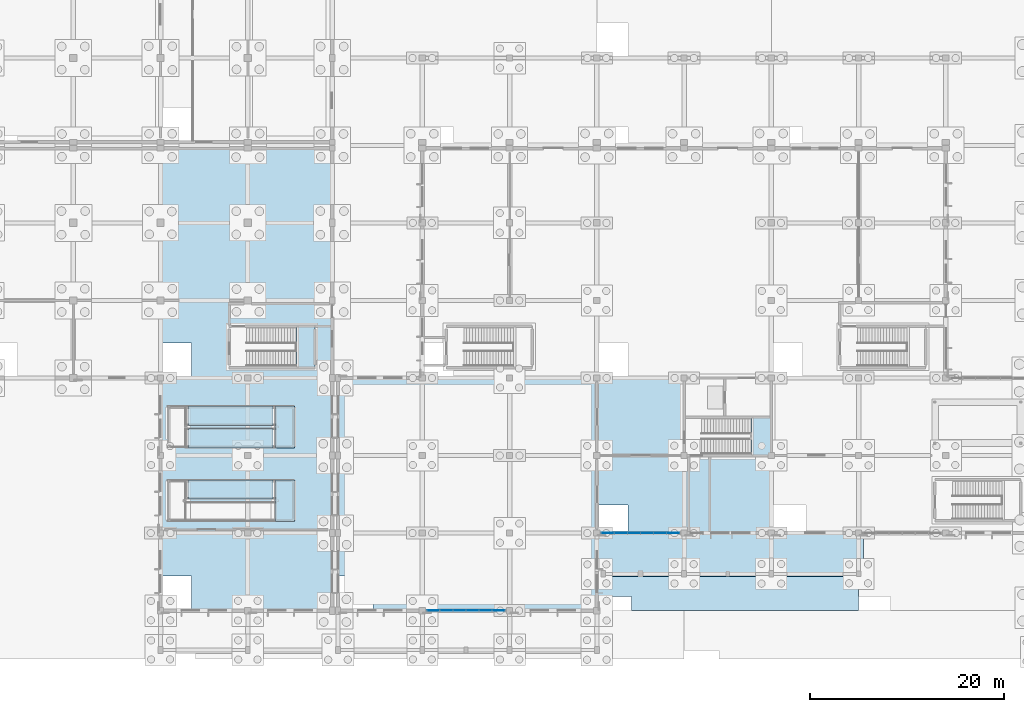
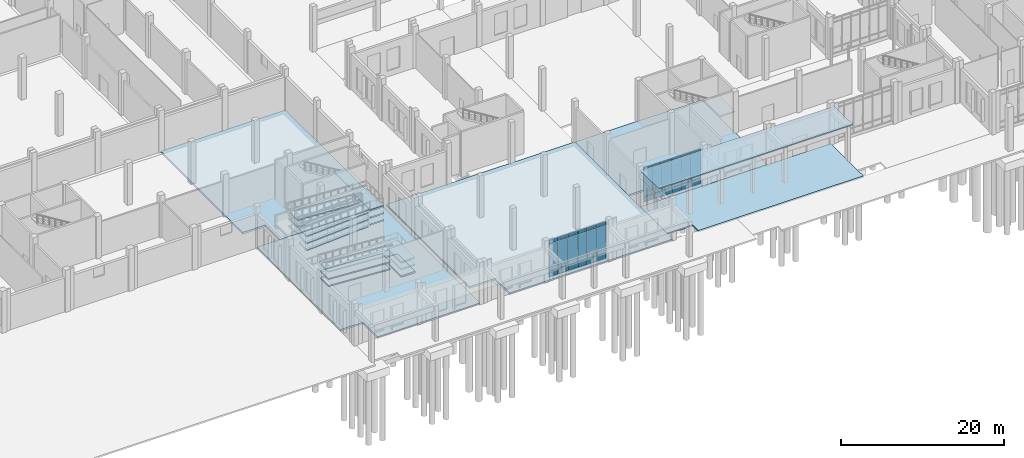
# One storey, part 47 of 99: 36 plates, 23 slabs, 6 elements without a shape of their own.
"""IFC4 building model written with IfcOpenShell, lengths in metres."""

from ifc_helpers import new_model, si_unit, direction, frame, origin, origin_2d, place, context, subcontext, project, spatial, polyline, rectangle, outline, extrude, material, layer, layer_set, type_object, element, aggregate, save


model = new_model("IFC4")

# Units and contexts
model_context = context("Model", 3, precision=1e-05, world=origin(), true_north=direction((0.0, 1.0)))
body_context = subcontext(model_context, "Body", "Model", "MODEL_VIEW")
ifc_project = project(units=[si_unit("LENGTHUNIT", "METRE"), si_unit("AREAUNIT", "SQUARE_METRE"), si_unit("VOLUMEUNIT", "CUBIC_METRE"), si_unit("PLANEANGLEUNIT", "RADIAN"), si_unit("MASSUNIT", "GRAM", prefix="KILO")], contexts=[model_context])

# Site, building, storey
site_placement = place(None, origin())
site = spatial("IfcSite", under=ifc_project, at=site_placement, CompositionType="ELEMENT")
building_placement = place(site_placement, origin())
building = spatial("IfcBuilding", under=site, at=building_placement, Name="Zacnel Wholesale Market", CompositionType="ELEMENT")
storey_placement = place(building_placement, origin())
storey = spatial("IfcBuildingStorey", under=building, at=storey_placement, Name="L01", CompositionType="ELEMENT", Elevation=0.0)

# Curtain wall, plates
ifc_material_1 = material(Name="Anodised aluminium", Category="aluminium")
ifc_layer_1 = layer(ifc_material_1, 0.159912109375)
ifc_layer_set_1 = layer_set([ifc_layer_1], Name="Anodised aluminium")
curtain_wall_type = type_object("IfcCurtainWallType", Name="CW-TERR-3900", PredefinedType="NOTDEFINED", material=ifc_layer_set_1)
curtain_wall_1_placement = place(storey_placement, origin())
curtain_wall_1 = element("IfcCurtainWall", 1, at=curtain_wall_1_placement, inside=storey, type_object=curtain_wall_type, Name="Curtain wall ENV-R2-CW-L01-001", PredefinedType="NOTDEFINED")
ifc_material_2 = material(Name="Laminated hurricane-impact low-E insulated glass", Category="glass")
ifc_layer_2 = layer(ifc_material_2, 0.02392578125)
ifc_layer_set_2 = layer_set([ifc_layer_2], Name="Laminated hurricane-impact low-E insulated glass")
plate_type_1 = type_object("IfcPlateType", Name="CWP-PNL-03", PredefinedType="CURTAIN_PANEL", material=ifc_layer_set_2)
plate_1_placement = place(storey_placement, frame((82.125, 0.0, 1.330078125), z_axis=(0.0, 0.0, 1.0), x_axis=(1.0, 0.0, 0.0)))
plate_1 = element("IfcPlate", 2, at=plate_1_placement, type_object=plate_type_1, Name="ENV-R2-CW-L01-001 panel 1-2", PredefinedType="CURTAIN_PANEL", context=body_context, shape_type="SweptSolid", body=[
    extrude(rectangle(XDim=1.280029296875, YDim=0.02392578125, at=origin_2d()), origin(), (0.0, 0.0, 1.0), 4.0400390625),
])
plate_2_placement = place(storey_placement, frame((83.47509765625, 0.0, 1.330078125), z_axis=(0.0, 0.0, 1.0), x_axis=(1.0, 0.0, 0.0)))
plate_2 = element("IfcPlate", 3, at=plate_2_placement, type_object=plate_type_1, Name="ENV-R2-CW-L01-001 panel 2-2", PredefinedType="CURTAIN_PANEL", context=body_context, shape_type="SweptSolid", body=[
    extrude(rectangle(XDim=1.280029296875, YDim=0.02392578125, at=origin_2d()), origin(), (0.0, 0.0, 1.0), 4.0400390625),
])
plate_3_placement = place(storey_placement, frame((84.824951171875, 0.0, 1.330078125), z_axis=(0.0, 0.0, 1.0), x_axis=(1.0, 0.0, 0.0)))
plate_3 = element("IfcPlate", 4, at=plate_3_placement, type_object=plate_type_1, Name="ENV-R2-CW-L01-001 panel 3-2", PredefinedType="CURTAIN_PANEL", context=body_context, shape_type="SweptSolid", body=[
    extrude(rectangle(XDim=1.280029296875, YDim=0.02392578125, at=origin_2d()), origin(), (0.0, 0.0, 1.0), 4.0400390625),
])
plate_4_placement = place(storey_placement, frame((86.175048828125, 0.0, 1.330078125), z_axis=(0.0, 0.0, 1.0), x_axis=(1.0, 0.0, 0.0)))
plate_4 = element("IfcPlate", 5, at=plate_4_placement, type_object=plate_type_1, Name="ENV-R2-CW-L01-001 panel 4-2", PredefinedType="CURTAIN_PANEL", context=body_context, shape_type="SweptSolid", body=[
    extrude(rectangle(XDim=1.280029296875, YDim=0.02392578125, at=origin_2d()), origin(), (0.0, 0.0, 1.0), 4.0400390625),
])
plate_5_placement = place(storey_placement, frame((87.52490234375, 0.0, 1.330078125), z_axis=(0.0, 0.0, 1.0), x_axis=(1.0, 0.0, 0.0)))
plate_5 = element("IfcPlate", 6, at=plate_5_placement, type_object=plate_type_1, Name="ENV-R2-CW-L01-001 panel 5-2", PredefinedType="CURTAIN_PANEL", context=body_context, shape_type="SweptSolid", body=[
    extrude(rectangle(XDim=1.280029296875, YDim=0.02392578125, at=origin_2d()), origin(), (0.0, 0.0, 1.0), 4.0400390625),
])
plate_6_placement = place(storey_placement, frame((88.875, 0.0, 1.330078125), z_axis=(0.0, 0.0, 1.0), x_axis=(1.0, 0.0, 0.0)))
plate_6 = element("IfcPlate", 7, at=plate_6_placement, type_object=plate_type_1, Name="ENV-R2-CW-L01-001 panel 6-2", PredefinedType="CURTAIN_PANEL", context=body_context, shape_type="SweptSolid", body=[
    extrude(rectangle(XDim=1.280029296875, YDim=0.02392578125, at=origin_2d()), origin(), (0.0, 0.0, 1.0), 4.0400390625),
])

curtain_wall_2_placement = place(storey_placement, origin())
curtain_wall_2 = element("IfcCurtainWall", 8, at=curtain_wall_2_placement, inside=storey, type_object=curtain_wall_type, Name="Curtain wall ENV-R2-CW-L01-002", PredefinedType="NOTDEFINED")
plate_7_placement = place(storey_placement, frame((100.125, 8.0, 1.330078125), z_axis=(0.0, 0.0, 1.0), x_axis=(1.0, 0.0, 0.0)))
plate_7 = element("IfcPlate", 9, at=plate_7_placement, type_object=plate_type_1, Name="ENV-R2-CW-L01-002 panel 1-2", PredefinedType="CURTAIN_PANEL", context=body_context, shape_type="SweptSolid", body=[
    extrude(rectangle(XDim=1.280029296875, YDim=0.02392578125, at=origin_2d()), origin(), (0.0, 0.0, 1.0), 3.760009765625),
])
plate_8_placement = place(storey_placement, frame((101.47509765625, 8.0, 1.330078125), z_axis=(0.0, 0.0, 1.0), x_axis=(1.0, 0.0, 0.0)))
plate_8 = element("IfcPlate", 10, at=plate_8_placement, type_object=plate_type_1, Name="ENV-R2-CW-L01-002 panel 2-2", PredefinedType="CURTAIN_PANEL", context=body_context, shape_type="SweptSolid", body=[
    extrude(rectangle(XDim=1.280029296875, YDim=0.02392578125, at=origin_2d()), origin(), (0.0, 0.0, 1.0), 3.760009765625),
])
plate_9_placement = place(storey_placement, frame((102.824951171875, 8.0, 1.330078125), z_axis=(0.0, 0.0, 1.0), x_axis=(1.0, 0.0, 0.0)))
plate_9 = element("IfcPlate", 11, at=plate_9_placement, type_object=plate_type_1, Name="ENV-R2-CW-L01-002 panel 3-2", PredefinedType="CURTAIN_PANEL", context=body_context, shape_type="SweptSolid", body=[
    extrude(rectangle(XDim=1.280029296875, YDim=0.02392578125, at=origin_2d()), origin(), (0.0, 0.0, 1.0), 3.760009765625),
])
plate_10_placement = place(storey_placement, frame((104.175048828125, 8.0, 1.330078125), z_axis=(0.0, 0.0, 1.0), x_axis=(1.0, 0.0, 0.0)))
plate_10 = element("IfcPlate", 12, at=plate_10_placement, type_object=plate_type_1, Name="ENV-R2-CW-L01-002 panel 4-2", PredefinedType="CURTAIN_PANEL", context=body_context, shape_type="SweptSolid", body=[
    extrude(rectangle(XDim=1.280029296875, YDim=0.02392578125, at=origin_2d()), origin(), (0.0, 0.0, 1.0), 3.760009765625),
])
plate_11_placement = place(storey_placement, frame((105.52490234375, 8.0, 1.330078125), z_axis=(0.0, 0.0, 1.0), x_axis=(1.0, 0.0, 0.0)))
plate_11 = element("IfcPlate", 13, at=plate_11_placement, type_object=plate_type_1, Name="ENV-R2-CW-L01-002 panel 5-2", PredefinedType="CURTAIN_PANEL", context=body_context, shape_type="SweptSolid", body=[
    extrude(rectangle(XDim=1.280029296875, YDim=0.02392578125, at=origin_2d()), origin(), (0.0, 0.0, 1.0), 3.760009765625),
])
plate_12_placement = place(storey_placement, frame((106.875, 8.0, 1.330078125), z_axis=(0.0, 0.0, 1.0), x_axis=(1.0, 0.0, 0.0)))
plate_12 = element("IfcPlate", 14, at=plate_12_placement, type_object=plate_type_1, Name="ENV-R2-CW-L01-002 panel 6-2", PredefinedType="CURTAIN_PANEL", context=body_context, shape_type="SweptSolid", body=[
    extrude(rectangle(XDim=1.280029296875, YDim=0.02392578125, at=origin_2d()), origin(), (0.0, 0.0, 1.0), 3.760009765625),
])

# Plate
ifc_material_3 = material(Name="Anodised aluminium", Category="aluminium")
ifc_layer_3 = layer(ifc_material_3, 0.0400390625)
ifc_layer_set_3 = layer_set([ifc_layer_3], Name="Anodised aluminium")
plate_type_2 = type_object("IfcPlateType", Name="CWP-PNL-05", PredefinedType="CURTAIN_PANEL", material=ifc_layer_set_3)
plate_13_placement = place(storey_placement, frame((82.125, 0.0, 0.47998046875), z_axis=(0.0, 0.0, 1.0), x_axis=(1.0, 0.0, 0.0)))
plate_13 = element("IfcPlate", 15, at=plate_13_placement, type_object=plate_type_2, Name="ENV-R2-CW-L01-001 panel 1-1", PredefinedType="CURTAIN_PANEL", context=body_context, shape_type="SweptSolid", body=[
    extrude(rectangle(XDim=1.280029296875, YDim=0.0400390625, at=origin_2d()), origin(), (0.0, 0.0, 1.0), 0.7900390625),
])

plate_14_placement = place(storey_placement, frame((82.125, 0.0, 5.43017578125), z_axis=(0.0, 0.0, 1.0), x_axis=(1.0, 0.0, 0.0)))
plate_14 = element("IfcPlate", 16, at=plate_14_placement, type_object=plate_type_2, Name="ENV-R2-CW-L01-001 panel 1-3", PredefinedType="CURTAIN_PANEL", context=body_context, shape_type="SweptSolid", body=[
    extrude(rectangle(XDim=1.280029296875, YDim=0.0400390625, at=origin_2d()), origin(), (0.0, 0.0, 1.0), 0.489990234375),
])

plate_15_placement = place(storey_placement, frame((84.824951171875, 0.0, 0.47998046875), z_axis=(0.0, 0.0, 1.0), x_axis=(1.0, 0.0, 0.0)))
plate_15 = element("IfcPlate", 17, at=plate_15_placement, type_object=plate_type_2, Name="ENV-R2-CW-L01-001 panel 3-1", PredefinedType="CURTAIN_PANEL", context=body_context, shape_type="SweptSolid", body=[
    extrude(rectangle(XDim=1.280029296875, YDim=0.0400390625, at=origin_2d()), origin(), (0.0, 0.0, 1.0), 0.7900390625),
])

plate_16_placement = place(storey_placement, frame((84.824951171875, 0.0, 5.43017578125), z_axis=(0.0, 0.0, 1.0), x_axis=(1.0, 0.0, 0.0)))
plate_16 = element("IfcPlate", 18, at=plate_16_placement, type_object=plate_type_2, Name="ENV-R2-CW-L01-001 panel 3-3", PredefinedType="CURTAIN_PANEL", context=body_context, shape_type="SweptSolid", body=[
    extrude(rectangle(XDim=1.280029296875, YDim=0.0400390625, at=origin_2d()), origin(), (0.0, 0.0, 1.0), 0.489990234375),
])

plate_17_placement = place(storey_placement, frame((87.52490234375, 0.0, 0.47998046875), z_axis=(0.0, 0.0, 1.0), x_axis=(1.0, 0.0, 0.0)))
plate_17 = element("IfcPlate", 19, at=plate_17_placement, type_object=plate_type_2, Name="ENV-R2-CW-L01-001 panel 5-1", PredefinedType="CURTAIN_PANEL", context=body_context, shape_type="SweptSolid", body=[
    extrude(rectangle(XDim=1.280029296875, YDim=0.0400390625, at=origin_2d()), origin(), (0.0, 0.0, 1.0), 0.7900390625),
])

plate_18_placement = place(storey_placement, frame((87.52490234375, 0.0, 5.43017578125), z_axis=(0.0, 0.0, 1.0), x_axis=(1.0, 0.0, 0.0)))
plate_18 = element("IfcPlate", 20, at=plate_18_placement, type_object=plate_type_2, Name="ENV-R2-CW-L01-001 panel 5-3", PredefinedType="CURTAIN_PANEL", context=body_context, shape_type="SweptSolid", body=[
    extrude(rectangle(XDim=1.280029296875, YDim=0.0400390625, at=origin_2d()), origin(), (0.0, 0.0, 1.0), 0.489990234375),
])

plate_19_placement = place(storey_placement, frame((100.125, 8.0, 0.47998046875), z_axis=(0.0, 0.0, 1.0), x_axis=(1.0, 0.0, 0.0)))
plate_19 = element("IfcPlate", 21, at=plate_19_placement, type_object=plate_type_2, Name="ENV-R2-CW-L01-002 panel 1-1", PredefinedType="CURTAIN_PANEL", context=body_context, shape_type="SweptSolid", body=[
    extrude(rectangle(XDim=1.280029296875, YDim=0.0400390625, at=origin_2d()), origin(), (0.0, 0.0, 1.0), 0.7900390625),
])

plate_20_placement = place(storey_placement, frame((100.125, 8.0, 5.14990234375), z_axis=(0.0, 0.0, 1.0), x_axis=(1.0, 0.0, 0.0)))
plate_20 = element("IfcPlate", 22, at=plate_20_placement, type_object=plate_type_2, Name="ENV-R2-CW-L01-002 panel 1-3", PredefinedType="CURTAIN_PANEL", context=body_context, shape_type="SweptSolid", body=[
    extrude(rectangle(XDim=1.280029296875, YDim=0.0400390625, at=origin_2d()), origin(), (0.0, 0.0, 1.0), 0.489990234375),
])

plate_21_placement = place(storey_placement, frame((102.824951171875, 8.0, 0.47998046875), z_axis=(0.0, 0.0, 1.0), x_axis=(1.0, 0.0, 0.0)))
plate_21 = element("IfcPlate", 23, at=plate_21_placement, type_object=plate_type_2, Name="ENV-R2-CW-L01-002 panel 3-1", PredefinedType="CURTAIN_PANEL", context=body_context, shape_type="SweptSolid", body=[
    extrude(rectangle(XDim=1.280029296875, YDim=0.0400390625, at=origin_2d()), origin(), (0.0, 0.0, 1.0), 0.7900390625),
])

plate_22_placement = place(storey_placement, frame((102.824951171875, 8.0, 5.14990234375), z_axis=(0.0, 0.0, 1.0), x_axis=(1.0, 0.0, 0.0)))
plate_22 = element("IfcPlate", 24, at=plate_22_placement, type_object=plate_type_2, Name="ENV-R2-CW-L01-002 panel 3-3", PredefinedType="CURTAIN_PANEL", context=body_context, shape_type="SweptSolid", body=[
    extrude(rectangle(XDim=1.280029296875, YDim=0.0400390625, at=origin_2d()), origin(), (0.0, 0.0, 1.0), 0.489990234375),
])

plate_23_placement = place(storey_placement, frame((105.52490234375, 8.0, 0.47998046875), z_axis=(0.0, 0.0, 1.0), x_axis=(1.0, 0.0, 0.0)))
plate_23 = element("IfcPlate", 25, at=plate_23_placement, type_object=plate_type_2, Name="ENV-R2-CW-L01-002 panel 5-1", PredefinedType="CURTAIN_PANEL", context=body_context, shape_type="SweptSolid", body=[
    extrude(rectangle(XDim=1.280029296875, YDim=0.0400390625, at=origin_2d()), origin(), (0.0, 0.0, 1.0), 0.7900390625),
])

plate_24_placement = place(storey_placement, frame((105.52490234375, 8.0, 5.14990234375), z_axis=(0.0, 0.0, 1.0), x_axis=(1.0, 0.0, 0.0)))
plate_24 = element("IfcPlate", 26, at=plate_24_placement, type_object=plate_type_2, Name="ENV-R2-CW-L01-002 panel 5-3", PredefinedType="CURTAIN_PANEL", context=body_context, shape_type="SweptSolid", body=[
    extrude(rectangle(XDim=1.280029296875, YDim=0.0400390625, at=origin_2d()), origin(), (0.0, 0.0, 1.0), 0.489990234375),
])

ifc_material_4 = material(Name="Honed Yucatan Maya cream limestone", Category="masonry")
ifc_layer_4 = layer(ifc_material_4, 0.044921875)
ifc_layer_set_4 = layer_set([ifc_layer_4], Name="Honed Yucatan Maya cream limestone")
plate_type_3 = type_object("IfcPlateType", Name="CWP-PNL-06", PredefinedType="CURTAIN_PANEL", material=ifc_layer_set_4)
plate_25_placement = place(storey_placement, frame((83.47509765625, 0.0, 0.47998046875), z_axis=(0.0, 0.0, 1.0), x_axis=(1.0, 0.0, 0.0)))
plate_25 = element("IfcPlate", 27, at=plate_25_placement, type_object=plate_type_3, Name="ENV-R2-CW-L01-001 panel 2-1", PredefinedType="CURTAIN_PANEL", context=body_context, shape_type="SweptSolid", body=[
    extrude(rectangle(XDim=1.280029296875, YDim=0.044921875, at=origin_2d()), origin(), (0.0, 0.0, 1.0), 0.7900390625),
])

plate_26_placement = place(storey_placement, frame((83.47509765625, 0.0, 5.43017578125), z_axis=(0.0, 0.0, 1.0), x_axis=(1.0, 0.0, 0.0)))
plate_26 = element("IfcPlate", 28, at=plate_26_placement, type_object=plate_type_3, Name="ENV-R2-CW-L01-001 panel 2-3", PredefinedType="CURTAIN_PANEL", context=body_context, shape_type="SweptSolid", body=[
    extrude(rectangle(XDim=1.280029296875, YDim=0.044921875, at=origin_2d()), origin(), (0.0, 0.0, 1.0), 0.489990234375),
])

plate_27_placement = place(storey_placement, frame((86.175048828125, 0.0, 0.47998046875), z_axis=(0.0, 0.0, 1.0), x_axis=(1.0, 0.0, 0.0)))
plate_27 = element("IfcPlate", 29, at=plate_27_placement, type_object=plate_type_3, Name="ENV-R2-CW-L01-001 panel 4-1", PredefinedType="CURTAIN_PANEL", context=body_context, shape_type="SweptSolid", body=[
    extrude(rectangle(XDim=1.280029296875, YDim=0.044921875, at=origin_2d()), origin(), (0.0, 0.0, 1.0), 0.7900390625),
])

plate_28_placement = place(storey_placement, frame((86.175048828125, 0.0, 5.43017578125), z_axis=(0.0, 0.0, 1.0), x_axis=(1.0, 0.0, 0.0)))
plate_28 = element("IfcPlate", 30, at=plate_28_placement, type_object=plate_type_3, Name="ENV-R2-CW-L01-001 panel 4-3", PredefinedType="CURTAIN_PANEL", context=body_context, shape_type="SweptSolid", body=[
    extrude(rectangle(XDim=1.280029296875, YDim=0.044921875, at=origin_2d()), origin(), (0.0, 0.0, 1.0), 0.489990234375),
])

plate_29_placement = place(storey_placement, frame((88.875, 0.0, 0.47998046875), z_axis=(0.0, 0.0, 1.0), x_axis=(1.0, 0.0, 0.0)))
plate_29 = element("IfcPlate", 31, at=plate_29_placement, type_object=plate_type_3, Name="ENV-R2-CW-L01-001 panel 6-1", PredefinedType="CURTAIN_PANEL", context=body_context, shape_type="SweptSolid", body=[
    extrude(rectangle(XDim=1.280029296875, YDim=0.044921875, at=origin_2d()), origin(), (0.0, 0.0, 1.0), 0.7900390625),
])

plate_30_placement = place(storey_placement, frame((88.875, 0.0, 5.43017578125), z_axis=(0.0, 0.0, 1.0), x_axis=(1.0, 0.0, 0.0)))
plate_30 = element("IfcPlate", 32, at=plate_30_placement, type_object=plate_type_3, Name="ENV-R2-CW-L01-001 panel 6-3", PredefinedType="CURTAIN_PANEL", context=body_context, shape_type="SweptSolid", body=[
    extrude(rectangle(XDim=1.280029296875, YDim=0.044921875, at=origin_2d()), origin(), (0.0, 0.0, 1.0), 0.489990234375),
])

aggregate(curtain_wall_1, [plate_13, plate_1, plate_14, plate_25, plate_2, plate_26, plate_15, plate_3, plate_16, plate_27, plate_4, plate_28, plate_17, plate_5, plate_18, plate_29, plate_6, plate_30])

plate_31_placement = place(storey_placement, frame((101.47509765625, 8.0, 0.47998046875), z_axis=(0.0, 0.0, 1.0), x_axis=(1.0, 0.0, 0.0)))
plate_31 = element("IfcPlate", 33, at=plate_31_placement, type_object=plate_type_3, Name="ENV-R2-CW-L01-002 panel 2-1", PredefinedType="CURTAIN_PANEL", context=body_context, shape_type="SweptSolid", body=[
    extrude(rectangle(XDim=1.280029296875, YDim=0.044921875, at=origin_2d()), origin(), (0.0, 0.0, 1.0), 0.7900390625),
])

plate_32_placement = place(storey_placement, frame((101.47509765625, 8.0, 5.14990234375), z_axis=(0.0, 0.0, 1.0), x_axis=(1.0, 0.0, 0.0)))
plate_32 = element("IfcPlate", 34, at=plate_32_placement, type_object=plate_type_3, Name="ENV-R2-CW-L01-002 panel 2-3", PredefinedType="CURTAIN_PANEL", context=body_context, shape_type="SweptSolid", body=[
    extrude(rectangle(XDim=1.280029296875, YDim=0.044921875, at=origin_2d()), origin(), (0.0, 0.0, 1.0), 0.489990234375),
])

plate_33_placement = place(storey_placement, frame((104.175048828125, 8.0, 0.47998046875), z_axis=(0.0, 0.0, 1.0), x_axis=(1.0, 0.0, 0.0)))
plate_33 = element("IfcPlate", 35, at=plate_33_placement, type_object=plate_type_3, Name="ENV-R2-CW-L01-002 panel 4-1", PredefinedType="CURTAIN_PANEL", context=body_context, shape_type="SweptSolid", body=[
    extrude(rectangle(XDim=1.280029296875, YDim=0.044921875, at=origin_2d()), origin(), (0.0, 0.0, 1.0), 0.7900390625),
])

plate_34_placement = place(storey_placement, frame((104.175048828125, 8.0, 5.14990234375), z_axis=(0.0, 0.0, 1.0), x_axis=(1.0, 0.0, 0.0)))
plate_34 = element("IfcPlate", 36, at=plate_34_placement, type_object=plate_type_3, Name="ENV-R2-CW-L01-002 panel 4-3", PredefinedType="CURTAIN_PANEL", context=body_context, shape_type="SweptSolid", body=[
    extrude(rectangle(XDim=1.280029296875, YDim=0.044921875, at=origin_2d()), origin(), (0.0, 0.0, 1.0), 0.489990234375),
])

plate_35_placement = place(storey_placement, frame((106.875, 8.0, 0.47998046875), z_axis=(0.0, 0.0, 1.0), x_axis=(1.0, 0.0, 0.0)))
plate_35 = element("IfcPlate", 37, at=plate_35_placement, type_object=plate_type_3, Name="ENV-R2-CW-L01-002 panel 6-1", PredefinedType="CURTAIN_PANEL", context=body_context, shape_type="SweptSolid", body=[
    extrude(rectangle(XDim=1.280029296875, YDim=0.044921875, at=origin_2d()), origin(), (0.0, 0.0, 1.0), 0.7900390625),
])

plate_36_placement = place(storey_placement, frame((106.875, 8.0, 5.14990234375), z_axis=(0.0, 0.0, 1.0), x_axis=(1.0, 0.0, 0.0)))
plate_36 = element("IfcPlate", 38, at=plate_36_placement, type_object=plate_type_3, Name="ENV-R2-CW-L01-002 panel 6-3", PredefinedType="CURTAIN_PANEL", context=body_context, shape_type="SweptSolid", body=[
    extrude(rectangle(XDim=1.280029296875, YDim=0.044921875, at=origin_2d()), origin(), (0.0, 0.0, 1.0), 0.489990234375),
])

aggregate(curtain_wall_2, [plate_19, plate_7, plate_20, plate_31, plate_8, plate_32, plate_21, plate_9, plate_22, plate_33, plate_10, plate_34, plate_23, plate_11, plate_24, plate_35, plate_12, plate_36])

# Slabs
ifc_material_5 = material(Name="Concrete C35/45", Category="concrete")
ifc_layer_5 = layer(ifc_material_5, 0.219970703125)
ifc_layer_set_5 = layer_set([ifc_layer_5], Name="Concrete C35/45")
slab_type_1 = type_object("IfcSlabType", Name="SLB-BASE-220", PredefinedType="BASESLAB", material=ifc_layer_set_5)
slab_1_placement = place(storey_placement, frame((0.0, 0.0, -0.219970703125)))
element("IfcSlab", 39, at=slab_1_placement, inside=storey, type_object=slab_type_1, Name="Structural slab SLB-L01-FORECOURT-N-P1", PredefinedType="BASESLAB", context=body_context, shape_type="SweptSolid", body=[
    extrude(outline(polyline([(102.60009765625, 0.0), (126.0, 0.0), (126.0, 8.0), (99.0, 8.0), (99.0, 1.43994140625), (102.60009765625, 1.43994140625), (102.60009765625, 0.0)])), origin(), (0.0, 0.0, 1.0), 0.219970703125),
])
ifc_material_6 = material(Name="Concrete C35/45", Category="concrete")
ifc_layer_6 = layer(ifc_material_6, 0.260009765625)
ifc_layer_set_6 = layer_set([ifc_layer_6], Name="Concrete C35/45")
slab_type_2 = type_object("IfcSlabType", Name="SLB-BASE-260", PredefinedType="BASESLAB", material=ifc_layer_set_6)
slab_2_placement = place(storey_placement, frame((0.0, 0.0, -0.260009765625)))
element("IfcSlab", 40, at=slab_2_placement, inside=storey, type_object=slab_type_2, Name="Structural slab SLB-L01-V4-WEST", PredefinedType="BASESLAB", context=body_context, shape_type="SweptSolid", body=[
    extrude(outline(polyline([(57.18994140625, 0.0), (71.699951171875, 0.0), (71.699951171875, 24.0), (54.0, 24.0), (54.0, 3.60009765625), (57.18994140625, 3.60009765625), (57.18994140625, 0.0)])), origin(), (0.0, 0.0, 1.0), 0.260009765625),
])
slab_3_placement = place(storey_placement, frame((0.0, 0.0, -0.260009765625)))
element("IfcSlab", 41, at=slab_3_placement, inside=storey, type_object=slab_type_2, Name="Structural slab SLB-L01-V4-SEA", PredefinedType="BASESLAB", context=body_context, shape_type="SweptSolid", body=[
    extrude(outline(polyline([(75.89990234375, 0.0), (99.0, 0.0), (99.0, 24.0), (72.300048828125, 24.0), (72.300048828125, 3.60009765625), (75.89990234375, 3.60009765625), (75.89990234375, 0.0)])), origin(), (0.0, 0.0, 1.0), 0.260009765625),
])
slab_4_placement = place(storey_placement, frame((0.0, 0.0, -0.260009765625)))
element("IfcSlab", 42, at=slab_4_placement, inside=storey, type_object=slab_type_2, Name="Structural slab SLB-L01-V4-FLW-P1", PredefinedType="BASESLAB", context=body_context, shape_type="SweptSolid", body=[
    extrude(outline(polyline([(102.239990234375, 8.0), (117.0, 8.0), (117.0, 24.0), (99.0, 24.0), (99.0, 10.8798828125), (102.239990234375, 10.8798828125), (102.239990234375, 8.0)])), origin(), (0.0, 0.0, 1.0), 0.260009765625),
])
ifc_material_7 = material(Name="Concrete C35/45", Category="concrete")
ifc_layer_7 = layer(ifc_material_7, 0.280029296875)
ifc_layer_set_7 = layer_set([ifc_layer_7], Name="Concrete C35/45")
slab_type_3 = type_object("IfcSlabType", Name="SLB-BASE-280", PredefinedType="BASESLAB", material=ifc_layer_set_7)
slab_5_placement = place(storey_placement, frame((0.0, 0.0, -0.280029296875)))
element("IfcSlab", 43, at=slab_5_placement, inside=storey, type_object=slab_type_3, Name="Structural slab SLB-L01-V3-COLD-S-P3", PredefinedType="BASESLAB", context=body_context, shape_type="SweptSolid", body=[
    extrude(outline(polyline([(57.18994140625, 24.0), (71.699951171875, 24.0), (71.699951171875, 47.699951171875), (54.0, 47.699951171875), (54.0, 27.60009765625), (57.18994140625, 27.60009765625), (57.18994140625, 24.0)])), origin(), (0.0, 0.0, 1.0), 0.280029296875),
])

# Stair, slab
ifc_material_8 = material(Name="Precast concrete C45/55", Category="concrete")
stair_type = type_object("IfcStairType", Name="STR-DOGLEG-1550", PredefinedType="HALF_TURN_STAIR", material=ifc_material_8)
stair_1_placement = place(storey_placement, origin())
stair_1 = element("IfcStair", 44, at=stair_1_placement, inside=storey, type_object=stair_type, Name="Stair ST-16 (L01)", PredefinedType="HALF_TURN_STAIR")
ifc_material_9 = material(Name="Precast concrete C45/55", Category="concrete")
ifc_layer_8 = layer(ifc_material_9, 0.199951171875)
ifc_layer_set_8 = layer_set([ifc_layer_8], Name="Precast concrete C45/55")
slab_type_4 = type_object("IfcSlabType", Name="SLB-LAND-200", PredefinedType="LANDING", material=ifc_layer_set_8)
slab_6_placement = place(storey_placement, frame((0.0, 0.0, 2.949951171875)))
slab_6 = element("IfcSlab", 45, at=slab_6_placement, type_object=slab_type_4, Name="ST-16 landing 1", PredefinedType="LANDING", context=body_context, shape_type="SweptSolid", body=[
    extrude(outline(polyline([(114.909912109375, 15.989990234375), (117.010009765625, 15.989990234375), (117.010009765625, 19.9599609375), (114.909912109375, 19.9599609375), (114.909912109375, 15.989990234375)])), origin(), (0.0, 0.0, 1.0), 0.199951171875),
])
aggregate(stair_1, [slab_6])

stair_2_placement = place(storey_placement, origin())
stair_2 = element("IfcStair", 46, at=stair_2_placement, inside=storey, type_object=stair_type, Name="Stair ST-23 (L01)", PredefinedType="HALF_TURN_STAIR")
slab_7_placement = place(storey_placement, frame((0.0, 0.0, 2.949951171875)))
slab_7 = element("IfcSlab", 47, at=slab_7_placement, type_object=slab_type_4, Name="ST-23 landing 1", PredefinedType="LANDING", context=body_context, shape_type="SweptSolid", body=[
    extrude(outline(polyline([(67.97998046875, 25.06005859375), (69.93994140625, 25.06005859375), (69.93994140625, 29.340087890625), (67.97998046875, 29.340087890625), (67.97998046875, 25.06005859375)])), origin(), (0.0, 0.0, 1.0), 0.199951171875),
])
aggregate(stair_2, [slab_7])

# Ramp, slabs
ifc_material_10 = material(Name="Precast concrete C45/55", Category="concrete")
ramp_type = type_object("IfcRampType", Name="RMP-TWO-RUN-2000", PredefinedType="TWO_STRAIGHT_RUN_RAMP", material=ifc_material_10)
ramp_1_placement = place(storey_placement, origin())
ramp_1 = element("IfcRamp", 48, at=ramp_1_placement, inside=storey, type_object=ramp_type, Name="Accessible ramp RP-03 (RMP-PROM-1A)", PredefinedType="TWO_STRAIGHT_RUN_RAMP")
ifc_material_11 = material(Name="Precast concrete C45/55", Category="concrete")
ifc_layer_9 = layer(ifc_material_11, 0.219970703125)
ifc_layer_set_9 = layer_set([ifc_layer_9], Name="Precast concrete C45/55")
slab_type_5 = type_object("IfcSlabType", Name="SLB-LAND-220", PredefinedType="LANDING", material=ifc_layer_set_9)
slab_8_placement = place(storey_placement, frame((0.0, 0.0, 0.304931640625)))
slab_8 = element("IfcSlab", 49, at=slab_8_placement, type_object=slab_type_5, Name="Accessible ramp RP-03 (RMP-PROM-1A) landing 1", PredefinedType="LANDING", context=body_context, shape_type="SweptSolid", body=[
    extrude(outline(polyline([(65.842041015625, 9.199951171875), (67.7919921875, 9.199951171875), (67.7919921875, 13.5), (65.842041015625, 13.5), (65.842041015625, 9.199951171875)])), origin(), (0.0, 0.0, 1.0), 0.219970703125),
])
slab_9_placement = place(storey_placement, frame((56.8798828125, 11.5, 0.81005859375), z_axis=(0.06003077499, 0.0, 0.998196526769), x_axis=(0.998196526769, 0.0, -0.06003077499)))
slab_9 = element("IfcSlab", 50, at=slab_9_placement, type_object=slab_type_5, Name="Accessible ramp RP-03 (RMP-PROM-1A) structural deck 2", PredefinedType="LANDING", context=body_context, shape_type="SweptSolid", body=[
    extrude(outline(polyline([(0.0, 0.0), (8.747954436024798, 0.0), (8.747954436024798, 2.0000000000000004), (0.0, 2.0000000000000004), (0.0, 0.0)])), origin(), (0.0, 0.0, -1.0), 0.159912109375),
])
slab_10_placement = place(storey_placement, frame((0.0, 0.0, 1.35498046875)))
slab_10 = element("IfcSlab", 51, at=slab_10_placement, type_object=slab_type_5, Name="Accessible ramp RP-03 (RMP-PROM-1A) landing 3", PredefinedType="LANDING", context=body_context, shape_type="SweptSolid", body=[
    extrude(outline(polyline([(65.842041015625, 9.199951171875), (67.7919921875, 9.199951171875), (67.7919921875, 13.5), (65.842041015625, 13.5), (65.842041015625, 9.199951171875)])), origin(), (0.0, 0.0, 1.0), 0.219970703125),
])
slab_11_placement = place(storey_placement, frame((56.8798828125, 11.5, 1.860107421875), z_axis=(0.06003077499, 0.0, 0.998196526769), x_axis=(0.998196526769, 0.0, -0.06003077499)))
slab_11 = element("IfcSlab", 52, at=slab_11_placement, type_object=slab_type_5, Name="Accessible ramp RP-03 (RMP-PROM-1A) structural deck 4", PredefinedType="LANDING", context=body_context, shape_type="SweptSolid", body=[
    extrude(outline(polyline([(0.0, 0.0), (8.747954436024798, 0.0), (8.747954436024798, 2.0000000000000004), (0.0, 2.0000000000000004), (0.0, 0.0)])), origin(), (0.0, 0.0, -1.0), 0.159912109375),
])
slab_12_placement = place(storey_placement, frame((0.0, 0.0, 2.405029296875)))
slab_12 = element("IfcSlab", 53, at=slab_12_placement, type_object=slab_type_5, Name="Accessible ramp RP-03 (RMP-PROM-1A) landing 5", PredefinedType="LANDING", context=body_context, shape_type="SweptSolid", body=[
    extrude(outline(polyline([(65.842041015625, 9.199951171875), (67.7919921875, 9.199951171875), (67.7919921875, 13.5), (65.842041015625, 13.5), (65.842041015625, 9.199951171875)])), origin(), (0.0, 0.0, 1.0), 0.219970703125),
])
slab_13_placement = place(storey_placement, frame((56.8798828125, 11.5, 2.909912109375), z_axis=(0.060002967183, 0.0, 0.998198198721), x_axis=(0.998198198721, 0.0, -0.060002967183)))
slab_13 = element("IfcSlab", 54, at=slab_13_placement, type_object=slab_type_5, Name="Accessible ramp RP-03 (RMP-PROM-1A) structural deck 6", PredefinedType="LANDING", context=body_context, shape_type="SweptSolid", body=[
    extrude(outline(polyline([(0.0, 0.0), (8.747939783468377, 0.0), (8.747939783468377, 2.0), (0.0, 2.0), (0.0, 0.0)])), origin(), (0.0, 0.0, -1.0), 0.159912109375),
])
aggregate(ramp_1, [slab_8, slab_9, slab_10, slab_11, slab_12, slab_13])

ramp_2_placement = place(storey_placement, origin())
ramp_2 = element("IfcRamp", 55, at=ramp_2_placement, inside=storey, type_object=ramp_type, Name="Accessible ramp RP-03 (RMP-PROM-1B)", PredefinedType="TWO_STRAIGHT_RUN_RAMP")
slab_14_placement = place(storey_placement, frame((56.8798828125, 16.800048828125, 2.909912109375), z_axis=(-0.06003077499, 0.0, 0.998196526769), x_axis=(0.998196526769, 0.0, 0.06003077499)))
slab_14 = element("IfcSlab", 56, at=slab_14_placement, type_object=slab_type_5, Name="Accessible ramp RP-03 (RMP-PROM-1B) structural deck 1", PredefinedType="LANDING", context=body_context, shape_type="SweptSolid", body=[
    extrude(outline(polyline([(0.0, 0.0), (8.747954436024798, 0.0), (8.747954436024798, 2.0000000000000004), (0.0, 2.0000000000000004), (0.0, 0.0)])), origin(), (0.0, 0.0, -1.0), 0.159912109375),
])
slab_15_placement = place(storey_placement, frame((0.0, 0.0, 3.455078125)))
slab_15 = element("IfcSlab", 57, at=slab_15_placement, type_object=slab_type_5, Name="Accessible ramp RP-03 (RMP-PROM-1B) landing 1", PredefinedType="LANDING", context=body_context, shape_type="SweptSolid", body=[
    extrude(outline(polyline([(65.842041015625, 16.800048828125), (67.7919921875, 16.800048828125), (67.7919921875, 21.10009765625), (65.842041015625, 21.10009765625), (65.842041015625, 16.800048828125)])), origin(), (0.0, 0.0, 1.0), 0.219970703125),
])
slab_16_placement = place(storey_placement, frame((56.8798828125, 19.10009765625, 3.9599609375), z_axis=(0.060002967183, 0.0, 0.998198198721), x_axis=(0.998198198721, 0.0, -0.060002967183)))
slab_16 = element("IfcSlab", 58, at=slab_16_placement, type_object=slab_type_5, Name="Accessible ramp RP-03 (RMP-PROM-1B) structural deck 2", PredefinedType="LANDING", context=body_context, shape_type="SweptSolid", body=[
    extrude(outline(polyline([(0.0, 0.0), (8.747939783468377, 0.0), (8.747939783468377, 2.0), (0.0, 2.0), (0.0, 0.0)])), origin(), (0.0, 0.0, -1.0), 0.159912109375),
])
slab_17_placement = place(storey_placement, frame((56.8798828125, 16.800048828125, 3.9599609375), z_axis=(-0.06003077499, 0.0, 0.998196526769), x_axis=(0.998196526769, 0.0, 0.06003077499)))
slab_17 = element("IfcSlab", 59, at=slab_17_placement, type_object=slab_type_5, Name="Accessible ramp RP-03 (RMP-PROM-1B) structural deck 3", PredefinedType="LANDING", context=body_context, shape_type="SweptSolid", body=[
    extrude(outline(polyline([(0.0, 0.0), (8.747954436024798, 0.0), (8.747954436024798, 2.0000000000000004), (0.0, 2.0000000000000004), (0.0, 0.0)])), origin(), (0.0, 0.0, -1.0), 0.159912109375),
])
slab_18_placement = place(storey_placement, frame((0.0, 0.0, 4.5048828125)))
slab_18 = element("IfcSlab", 60, at=slab_18_placement, type_object=slab_type_5, Name="Accessible ramp RP-03 (RMP-PROM-1B) landing 3", PredefinedType="LANDING", context=body_context, shape_type="SweptSolid", body=[
    extrude(outline(polyline([(65.842041015625, 16.800048828125), (67.7919921875, 16.800048828125), (67.7919921875, 21.10009765625), (65.842041015625, 21.10009765625), (65.842041015625, 16.800048828125)])), origin(), (0.0, 0.0, 1.0), 0.22021484375),
])
slab_19_placement = place(storey_placement, frame((56.8798828125, 19.10009765625, 5.010009765625), z_axis=(0.060002967183, 0.0, 0.998198198721), x_axis=(0.998198198721, 0.0, -0.060002967183)))
slab_19 = element("IfcSlab", 61, at=slab_19_placement, type_object=slab_type_5, Name="Accessible ramp RP-03 (RMP-PROM-1B) structural deck 4", PredefinedType="LANDING", context=body_context, shape_type="SweptSolid", body=[
    extrude(outline(polyline([(0.0, 0.0), (8.747939783468377, 0.0), (8.747939783468377, 2.0), (0.0, 2.0), (0.0, 0.0)])), origin(), (0.0, 0.0, -1.0), 0.159912109375),
])
slab_20_placement = place(storey_placement, frame((56.8798828125, 16.800048828125, 5.010009765625), z_axis=(-0.060002967183, 0.0, 0.998198198721), x_axis=(0.998198198721, 0.0, 0.060002967183)))
slab_20 = element("IfcSlab", 62, at=slab_20_placement, type_object=slab_type_5, Name="Accessible ramp RP-03 (RMP-PROM-1B) structural deck 5", PredefinedType="LANDING", context=body_context, shape_type="SweptSolid", body=[
    extrude(outline(polyline([(0.0, 0.0), (8.747939783468377, 0.0), (8.747939783468377, 2.0), (0.0, 2.0), (0.0, 0.0)])), origin(), (0.0, 0.0, -1.0), 0.159912109375),
])
slab_21_placement = place(storey_placement, frame((0.0, 0.0, 5.554931640625)))
slab_21 = element("IfcSlab", 63, at=slab_21_placement, type_object=slab_type_5, Name="Accessible ramp RP-03 (RMP-PROM-1B) landing 5", PredefinedType="LANDING", context=body_context, shape_type="SweptSolid", body=[
    extrude(outline(polyline([(65.842041015625, 16.800048828125), (67.7919921875, 16.800048828125), (67.7919921875, 21.10009765625), (65.842041015625, 21.10009765625), (65.842041015625, 16.800048828125)])), origin(), (0.0, 0.0, 1.0), 0.219970703125),
])
slab_22_placement = place(storey_placement, frame((56.8798828125, 19.10009765625, 6.06005859375), z_axis=(0.06003077499, 0.0, 0.998196526769), x_axis=(0.998196526769, 0.0, -0.06003077499)))
slab_22 = element("IfcSlab", 64, at=slab_22_placement, type_object=slab_type_5, Name="Accessible ramp RP-03 (RMP-PROM-1B) structural deck 6", PredefinedType="LANDING", context=body_context, shape_type="SweptSolid", body=[
    extrude(outline(polyline([(0.0, 0.0), (8.747954436024798, 0.0), (8.747954436024798, 2.0000000000000004), (0.0, 2.0000000000000004), (0.0, 0.0)])), origin(), (0.0, 0.0, -1.0), 0.159912109375),
])
aggregate(ramp_2, [slab_14, slab_15, slab_16, slab_17, slab_18, slab_19, slab_20, slab_21, slab_22])

# Slab
ifc_material_12 = material(Name="Precast concrete C45/55", Category="concrete")
ifc_layer_10 = layer(ifc_material_12, 0.179931640625)
ifc_layer_set_10 = layer_set([ifc_layer_10], Name="Precast concrete C45/55")
slab_type_6 = type_object("IfcSlabType", Name="SLB-ROOF-CAN-180", PredefinedType="ROOF", material=ifc_layer_set_10)
slab_23_placement = place(storey_placement, frame((0.0, 0.0, 5.27001953125)))
element("IfcSlab", 65, at=slab_23_placement, inside=storey, type_object=slab_type_6, Name="Storm canopy slab CAN-BLVD-V4E", PredefinedType="ROOF", context=body_context, shape_type="SweptSolid", body=[
    extrude(outline(polyline([(99.0, 3.5), (126.5, 3.5), (126.5, 8.0), (99.0, 8.0), (99.0, 3.5)])), origin(), (0.0, 0.0, 1.0), 0.179931640625),
])

save(model, "model.ifc")
